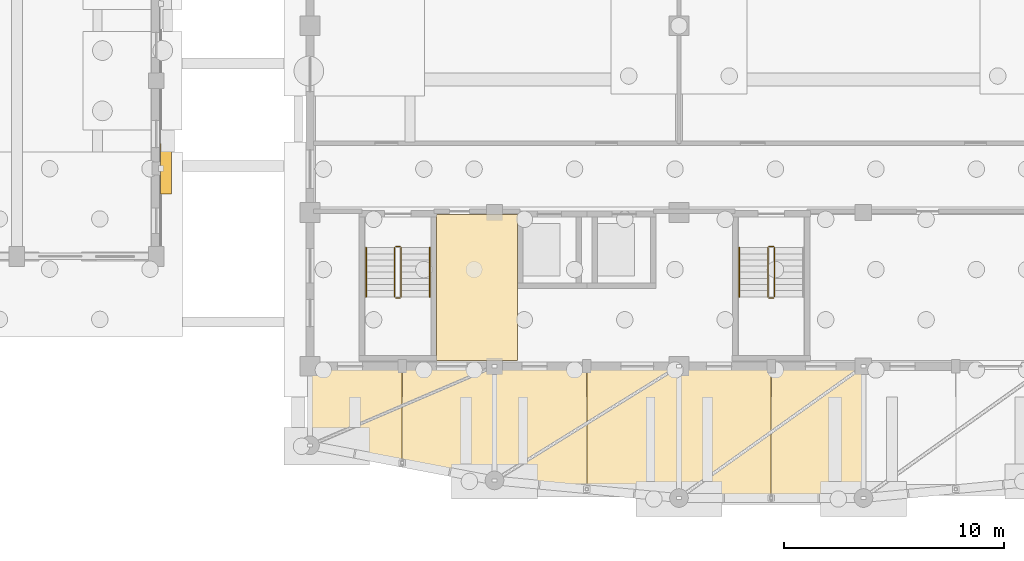
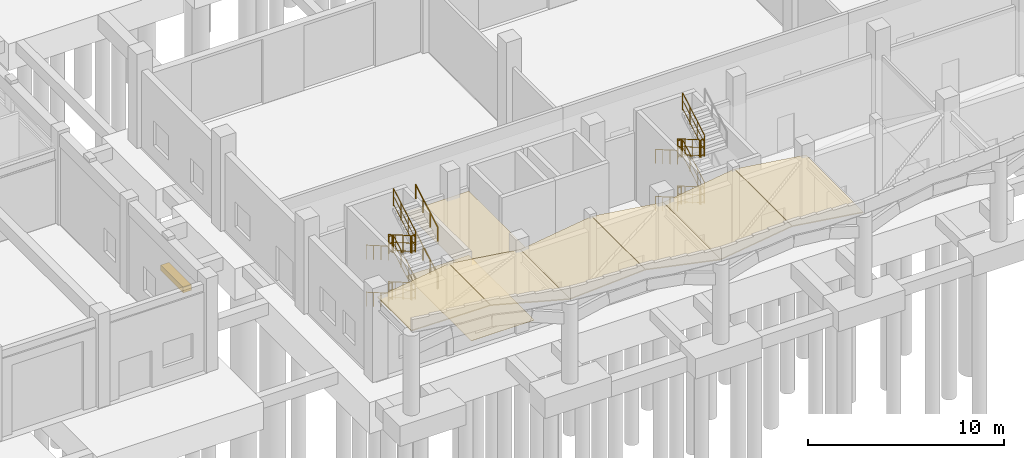
# One storey, part 53 of 60: 22 railings, 8 coverings, 1 shading device.
"""IFC4 building model written with IfcOpenShell, lengths in metres."""

from ifc_helpers import new_model, si_unit, direction, frame, origin, origin_2d, place, context, subcontext, project, spatial, polyline, rectangle, circle, outline, extrude, material, layer, layer_set, type_object, element, save


model = new_model("IFC4")

# Units and contexts
model_context = context("Model", 3, precision=1e-05, world=origin(), true_north=direction((0.0, 1.0)))
body_context = subcontext(model_context, "Body", "Model", "MODEL_VIEW")
ifc_project = project(units=[si_unit("LENGTHUNIT", "METRE"), si_unit("AREAUNIT", "SQUARE_METRE"), si_unit("VOLUMEUNIT", "CUBIC_METRE"), si_unit("PLANEANGLEUNIT", "RADIAN"), si_unit("MASSUNIT", "GRAM", prefix="KILO")], contexts=[model_context])

# Site, building, storey
site_placement = place(None, origin())
site = spatial("IfcSite", under=ifc_project, at=site_placement, CompositionType="ELEMENT")
building_placement = place(site_placement, origin())
building = spatial("IfcBuilding", under=site, at=building_placement, Name="Trellovar Central Fire Station", CompositionType="ELEMENT")
storey_placement = place(building_placement, origin())
storey = spatial("IfcBuildingStorey", under=building, at=storey_placement, Name="L01", CompositionType="ELEMENT", Elevation=0.0)

# Coverings
ifc_material_1 = material(Name="Perforated acoustic mineral fiber ceiling tile", Category="mineral")
ifc_layer_1 = layer(ifc_material_1, 0.02490234375)
ifc_layer_set_1 = layer_set([ifc_layer_1], Name="Perforated acoustic mineral fiber ceiling tile")
covering_type_1 = type_object("IfcCoveringType", Name="COV-CLG1", PredefinedType="CEILING", material=ifc_layer_set_1)
covering_1_placement = place(storey_placement, frame((0.0, 0.0, 3.97998046875)))
element("IfcCovering", 1, at=covering_1_placement, inside=storey, type_object=covering_type_1, Name="Civic Entrance Lobby and Heritage Hall suspended ceiling", PredefinedType="CEILING", context=body_context, shape_type="SweptSolid", body=[
    extrude(outline(polyline([(114.949951171875, 9.25), (111.25, 9.25), (111.25, 15.89990234375), (114.949951171875, 15.89990234375), (114.949951171875, 9.25)])), origin(), (0.0, 0.0, 1.0), 0.02490234375),
])
ifc_material_2 = material(Name="Vitrified Catalan ceramic floor tile", Category="masonry")
ifc_layer_2 = layer(ifc_material_2, 0.01806640625)
ifc_layer_set_2 = layer_set([ifc_layer_2], Name="Vitrified Catalan ceramic floor tile")
covering_type_2 = type_object("IfcCoveringType", Name="COV-FLR2", PredefinedType="FLOORING", material=ifc_layer_set_2)
covering_2_placement = place(storey_placement, origin())
element("IfcCovering", 2, at=covering_2_placement, inside=storey, type_object=covering_type_2, Name="Civic Entrance Lobby and Heritage Hall floor finish", PredefinedType="FLOORING", context=body_context, shape_type="SweptSolid", body=[
    extrude(outline(polyline([(114.949951171875, 9.25), (111.25, 9.25), (111.25, 15.89990234375), (114.949951171875, 15.89990234375), (114.949951171875, 9.25)])), origin(), (0.0, 0.0, 1.0), 0.01806640625),
])
ifc_material_3 = material(Name="Glazed ceramic trencadis roofing", Category="masonry")
ifc_layer_3 = layer(ifc_material_3, 0.06005859375)
ifc_layer_set_3 = layer_set([ifc_layer_3], Name="Glazed ceramic trencadis roofing")
covering_type_3 = type_object("IfcCoveringType", Name="COV-RF1", PredefinedType="ROOFING", material=ifc_layer_set_3)
covering_3_placement = place(storey_placement, frame((105.501953125, 5.39990234375, 5.01025390625), z_axis=(-0.141405195625, 0.0, 0.989951802186), x_axis=(0.972716766482, -0.185787087628, 0.138943334765)))
element("IfcCovering", 3, at=covering_3_placement, inside=storey, type_object=covering_type_3, Name="Concave boulevard trencadis canopy 01-W", PredefinedType="ROOFING", context=body_context, shape_type="SweptSolid", body=[
    extrude(outline(polyline([(0.0, 0.0), (4.304953039048307, 8.326672684688674e-17), (3.515357916629399, 4.17600760806925), (-0.641001738857078, 3.390127499841145), (0.0, 0.0)])), origin(), (0.0, 0.0, -1.0), 0.06005859375),
])
covering_4_placement = place(storey_placement, frame((109.71044921875, 4.60009765625, 5.6083984375), z_axis=(0.141405195625, 0.0, 0.989951802186), x_axis=(0.972706516267, -0.185841840824, -0.138941870619)))
element("IfcCovering", 4, at=covering_4_placement, inside=storey, type_object=covering_type_3, Name="Concave boulevard trencadis canopy 01-E", PredefinedType="ROOFING", context=body_context, shape_type="SweptSolid", body=[
    extrude(outline(polyline([(0.0, 0.0), (4.304998403907772, 1.0061396160665481e-16), (3.366488033439818, 4.962075316938548), (-0.7898278235004182, 4.175963602478426), (0.0, 0.0)])), origin(), (0.0, 0.0, -1.0), 0.06005859375),
])
covering_5_placement = place(storey_placement, frame((113.902099609375, 3.800048828125, 5.01025390625), z_axis=(-0.141405195625, 0.0, 0.989951802186), x_axis=(0.985551954326, -0.094176752165, 0.140776719222)))
element("IfcCovering", 5, at=covering_5_placement, inside=storey, type_object=covering_type_3, Name="Concave boulevard trencadis canopy 02-W", PredefinedType="ROOFING", context=body_context, shape_type="SweptSolid", body=[
    extrude(outline(polyline([(0.0, 0.0), (4.2488881297607675, -2.6020852139652106e-17), (3.735606436562417, 5.4259718804859665), (-0.475597196909509, 5.027603850020257), (0.0, 0.0)])), origin(), (0.0, 0.0, -1.0), 0.06005859375),
])
covering_6_placement = place(storey_placement, frame((118.110595703125, 3.39990234375, 5.6083984375), z_axis=(0.141405195625, 0.0, 0.989951802186), x_axis=(0.985557285944, -0.094119801445, -0.140777480793)))
element("IfcCovering", 6, at=covering_6_placement, inside=storey, type_object=covering_type_3, Name="Concave boulevard trencadis canopy 02-E", PredefinedType="ROOFING", context=body_context, shape_type="SweptSolid", body=[
    extrude(outline(polyline([(0.0, 0.0), (4.2488651443416074, 1.0061396160665481e-16), (3.6982551145042697, 5.824128362485178), (-0.5129713006463873, 5.4260012337917995), (0.0, 0.0)])), origin(), (0.0, 0.0, -1.0), 0.06005859375),
])
for number, where, z_axis, x_axis, name in (
    (7, (122.302001953125, 3.0, 5.01025390625), (-0.141405195625, 0.0, 0.989951802186), (0.989951802186, 0.0, 0.141405195625), "Concave boulevard trencadis canopy 03-W"),
    (8, (126.510498046875, 3.0, 5.6083984375), (0.141405195625, 0.0, 0.989951802186), (0.989951802186, 0.0, -0.141405195625), "Concave boulevard trencadis canopy 03-E"),
):
    element("IfcCovering", number, at=place(storey_placement, frame(where, z_axis=z_axis, x_axis=x_axis)), inside=storey, type_object=covering_type_3, Name=name, PredefinedType="ROOFING", context=body_context, shape_type="SweptSolid", body=[
        extrude(outline(polyline([(0.0, 0.0), (4.230003916105076, 0.0), (4.230003916105076, 5.850097656250001), (0.0, 5.850097656250001), (0.0, 0.0)])), origin(), (0.0, 0.0, -1.0), 0.06005859375),
    ])

# Railings
ifc_material_4 = material(Name="Patina bronze wrought metalwork", Category="metal")
ifc_layer_4 = layer(ifc_material_4, 0.048095703125)
ifc_layer_set_4 = layer_set([ifc_layer_4], Name="Patina bronze wrought metalwork")
railing_type_1 = type_object("IfcRailingType", Name="RL-STAIR", PredefinedType="HANDRAIL", material=ifc_layer_set_4)
railing_1_placement = place(storey_placement, frame((108.050048828125, 14.39990234375, 0.16259765625)))
element("IfcRailing", 9, at=railing_1_placement, inside=storey, type_object=railing_type_1, Name="L01 ST-01 stair handrail 1", PredefinedType="HANDRAIL", context=body_context, shape_type="SweptSolid", body=[
    extrude(circle(Radius=0.02392578125, at=origin_2d()), frame((0.0, 0.0, 0.8759765625), z_axis=(0.0, -0.864928887719, 0.501894430323), x_axis=(1.0, 0.0, 0.0)), (0.0, 0.0, 1.0), 2.58984375),
    extrude(circle(Radius=0.02099609375, at=origin_2d()), origin(), (0.0, 0.0, 1.0), 0.851806640625),
    extrude(circle(Radius=0.02099609375, at=origin_2d()), frame((0.0, -0.74658203125, 0.433349609375)), (0.0, 0.0, 1.0), 0.851806640625),
    extrude(circle(Radius=0.02099609375, at=origin_2d()), frame((0.0, -1.493408203125, 0.866455078125)), (0.0, 0.0, 1.0), 0.851806640625),
    extrude(circle(Radius=0.02099609375, at=origin_2d()), frame((0.0, -2.239990234375, 1.2998046875)), (0.0, 0.0, 1.0), 0.851806640625),
])
railing_2_placement = place(storey_placement, frame((110.949951171875, 12.159912109375, 1.625)))
element("IfcRailing", 10, at=railing_2_placement, inside=storey, type_object=railing_type_1, Name="L01 ST-01 stair handrail 2", PredefinedType="HANDRAIL", context=body_context, shape_type="SweptSolid", body=[
    extrude(circle(Radius=0.02392578125, at=origin_2d()), frame((0.0, 0.0, 0.8759765625), z_axis=(0.0, 0.864887963814, 0.501964949025), x_axis=(-1.0, 0.0, 0.0)), (0.0, 0.0, 1.0), 2.58984375),
    extrude(circle(Radius=0.02099609375, at=origin_2d()), origin(), (0.0, 0.0, 1.0), 0.851806640625),
    extrude(circle(Radius=0.02099609375, at=origin_2d()), frame((0.0, 0.74658203125, 0.433349609375)), (0.0, 0.0, 1.0), 0.851806640625),
    extrude(circle(Radius=0.02099609375, at=origin_2d()), frame((0.0, 1.493408203125, 0.86669921875)), (0.0, 0.0, 1.0), 0.851806640625),
    extrude(circle(Radius=0.02099609375, at=origin_2d()), frame((0.0, 2.239990234375, 1.300048828125)), (0.0, 0.0, 1.0), 0.851806640625),
])
railing_3_placement = place(storey_placement, frame((108.050048828125, 14.39990234375, 3.08740234375)))
element("IfcRailing", 11, at=railing_3_placement, inside=storey, type_object=railing_type_1, Name="L01 ST-01 stair handrail 3", PredefinedType="HANDRAIL", context=body_context, shape_type="SweptSolid", body=[
    extrude(circle(Radius=0.02392578125, at=origin_2d()), frame((0.0, 0.0, 0.8759765625), z_axis=(0.0, -0.864887963814, 0.501964949025), x_axis=(1.0, 0.0, 0.0)), (0.0, 0.0, 1.0), 2.58984375),
    extrude(circle(Radius=0.02099609375, at=origin_2d()), origin(), (0.0, 0.0, 1.0), 0.851806640625),
    extrude(circle(Radius=0.02099609375, at=origin_2d()), frame((0.0, -0.74658203125, 0.433349609375)), (0.0, 0.0, 1.0), 0.851806640625),
    extrude(circle(Radius=0.02099609375, at=origin_2d()), frame((0.0, -1.493408203125, 0.86669921875)), (0.0, 0.0, 1.0), 0.851806640625),
    extrude(circle(Radius=0.02099609375, at=origin_2d()), frame((0.0, -2.239990234375, 1.300048828125)), (0.0, 0.0, 1.0), 0.851806640625),
])
railing_4_placement = place(storey_placement, frame((110.949951171875, 12.159912109375, 4.550048828125)))
element("IfcRailing", 12, at=railing_4_placement, inside=storey, type_object=railing_type_1, Name="L01 ST-01 stair handrail 4", PredefinedType="HANDRAIL", context=body_context, shape_type="SweptSolid", body=[
    extrude(circle(Radius=0.02392578125, at=origin_2d()), frame((0.0, 0.0, 0.8759765625), z_axis=(0.0, 0.864887963814, 0.501964949025), x_axis=(-1.0, 0.0, 0.0)), (0.0, 0.0, 1.0), 2.58984375),
    extrude(circle(Radius=0.02099609375, at=origin_2d()), origin(), (0.0, 0.0, 1.0), 0.851806640625),
    extrude(circle(Radius=0.02099609375, at=origin_2d()), frame((0.0, 0.74658203125, 0.433349609375)), (0.0, 0.0, 1.0), 0.851806640625),
    extrude(circle(Radius=0.02099609375, at=origin_2d()), frame((0.0, 1.493408203125, 0.86669921875)), (0.0, 0.0, 1.0), 0.851806640625),
    extrude(circle(Radius=0.02099609375, at=origin_2d()), frame((0.0, 2.239990234375, 1.300048828125)), (0.0, 0.0, 1.0), 0.851806640625),
])
railing_5_placement = place(storey_placement, frame((125.050048828125, 14.39990234375, 0.16259765625)))
element("IfcRailing", 13, at=railing_5_placement, inside=storey, type_object=railing_type_1, Name="L01 ST-02 stair handrail 1", PredefinedType="HANDRAIL", context=body_context, shape_type="SweptSolid", body=[
    extrude(circle(Radius=0.02392578125, at=origin_2d()), frame((0.0, 0.0, 0.8759765625), z_axis=(0.0, -0.864928887719, 0.501894430323), x_axis=(1.0, 0.0, 0.0)), (0.0, 0.0, 1.0), 2.58984375),
    extrude(circle(Radius=0.02099609375, at=origin_2d()), origin(), (0.0, 0.0, 1.0), 0.851806640625),
    extrude(circle(Radius=0.02099609375, at=origin_2d()), frame((0.0, -0.74658203125, 0.433349609375)), (0.0, 0.0, 1.0), 0.851806640625),
    extrude(circle(Radius=0.02099609375, at=origin_2d()), frame((0.0, -1.493408203125, 0.866455078125)), (0.0, 0.0, 1.0), 0.851806640625),
    extrude(circle(Radius=0.02099609375, at=origin_2d()), frame((0.0, -2.239990234375, 1.2998046875)), (0.0, 0.0, 1.0), 0.851806640625),
])
railing_6_placement = place(storey_placement, frame((125.050048828125, 14.39990234375, 3.08740234375)))
element("IfcRailing", 14, at=railing_6_placement, inside=storey, type_object=railing_type_1, Name="L01 ST-02 stair handrail 3", PredefinedType="HANDRAIL", context=body_context, shape_type="SweptSolid", body=[
    extrude(circle(Radius=0.02392578125, at=origin_2d()), frame((0.0, 0.0, 0.8759765625), z_axis=(0.0, -0.864887963814, 0.501964949025), x_axis=(1.0, 0.0, 0.0)), (0.0, 0.0, 1.0), 2.58984375),
    extrude(circle(Radius=0.02099609375, at=origin_2d()), origin(), (0.0, 0.0, 1.0), 0.851806640625),
    extrude(circle(Radius=0.02099609375, at=origin_2d()), frame((0.0, -0.74658203125, 0.433349609375)), (0.0, 0.0, 1.0), 0.851806640625),
    extrude(circle(Radius=0.02099609375, at=origin_2d()), frame((0.0, -1.493408203125, 0.86669921875)), (0.0, 0.0, 1.0), 0.851806640625),
    extrude(circle(Radius=0.02099609375, at=origin_2d()), frame((0.0, -2.239990234375, 1.300048828125)), (0.0, 0.0, 1.0), 0.851806640625),
])
ifc_material_5 = material(Name="Patina bronze wrought metalwork", Category="metal")
ifc_layer_5 = layer(ifc_material_5, 0.050048828125)
ifc_layer_set_5 = layer_set([ifc_layer_5], Name="Patina bronze wrought metalwork")
railing_type_2 = type_object("IfcRailingType", Name="RL-STGUARD", PredefinedType="GUARDRAIL", material=ifc_layer_set_5)
railing_7_placement = place(storey_placement, frame((109.35009765625, 14.39990234375, 0.16259765625)))
element("IfcRailing", 15, at=railing_7_placement, inside=storey, type_object=railing_type_2, Name="L01 ST-01 stair guard 1", PredefinedType="GUARDRAIL", context=body_context, shape_type="SweptSolid", body=[
    extrude(circle(Radius=0.02392578125, at=origin_2d()), frame((0.0, 0.0, 1.076171875), z_axis=(0.0, -0.864928887719, 0.501894430323), x_axis=(1.0, 0.0, 0.0)), (0.0, 0.0, 1.0), 2.58984375),
    extrude(circle(Radius=0.015625, at=origin_2d()), frame((0.0, 0.0, 0.10009765625), z_axis=(0.0, -0.864928887719, 0.501894430323), x_axis=(1.0, 0.0, 0.0)), (0.0, 0.0, 1.0), 2.58984375),
    extrude(circle(Radius=0.015625, at=origin_2d()), frame((0.0, 0.0, 0.60498046875), z_axis=(0.0, -0.864928887719, 0.501894430323), x_axis=(1.0, 0.0, 0.0)), (0.0, 0.0, 1.0), 2.58984375),
    extrude(circle(Radius=0.02099609375, at=origin_2d()), origin(), (0.0, 0.0, 1.0), 1.052001953125),
    extrude(circle(Radius=0.02099609375, at=origin_2d()), frame((0.0, -0.74658203125, 0.433349609375)), (0.0, 0.0, 1.0), 1.052001953125),
    extrude(circle(Radius=0.02099609375, at=origin_2d()), frame((0.0, -1.493408203125, 0.866455078125)), (0.0, 0.0, 1.0), 1.052001953125),
    extrude(circle(Radius=0.02099609375, at=origin_2d()), frame((0.0, -2.239990234375, 1.2998046875)), (0.0, 0.0, 1.0), 1.052001953125),
])
railing_8_placement = place(storey_placement, frame((109.39990234375, 12.110107421875, 1.46240234375)))
element("IfcRailing", 16, at=railing_8_placement, inside=storey, type_object=railing_type_2, Name="L01 ST-01 stair guard 2", PredefinedType="GUARDRAIL", context=body_context, shape_type="SweptSolid", body=[
    extrude(circle(Radius=0.02392578125, at=origin_2d()), frame((0.0, 0.0, 1.076171875), z_axis=(1.0, 0.0, 0.0), x_axis=(0.0, 1.0, 0.0)), (0.0, 0.0, 1.0), 0.2001953125),
    extrude(circle(Radius=0.015625, at=origin_2d()), frame((0.0, 0.0, 0.10009765625), z_axis=(1.0, 0.0, 0.0), x_axis=(0.0, 1.0, 0.0)), (0.0, 0.0, 1.0), 0.2001953125),
    extrude(circle(Radius=0.015625, at=origin_2d()), frame((0.0, 0.0, 0.60498046875), z_axis=(1.0, 0.0, 0.0), x_axis=(0.0, 1.0, 0.0)), (0.0, 0.0, 1.0), 0.2001953125),
    extrude(circle(Radius=0.02099609375, at=origin_2d()), origin(), (0.0, 0.0, 1.0), 1.052001953125),
    extrude(circle(Radius=0.02099609375, at=origin_2d()), frame((0.2001953125, 0.0, 0.0)), (0.0, 0.0, 1.0), 1.052001953125),
])
railing_9_placement = place(storey_placement, frame((109.64990234375, 12.159912109375, 1.625)))
element("IfcRailing", 17, at=railing_9_placement, inside=storey, type_object=railing_type_2, Name="L01 ST-01 stair guard 3", PredefinedType="GUARDRAIL", context=body_context, shape_type="SweptSolid", body=[
    extrude(circle(Radius=0.02392578125, at=origin_2d()), frame((0.0, 0.0, 1.076171875), z_axis=(0.0, 0.864887963814, 0.501964949025), x_axis=(-1.0, 0.0, 0.0)), (0.0, 0.0, 1.0), 2.58984375),
    extrude(circle(Radius=0.015625, at=origin_2d()), frame((0.0, 0.0, 0.10009765625), z_axis=(0.0, 0.864887963814, 0.501964949025), x_axis=(-1.0, 0.0, 0.0)), (0.0, 0.0, 1.0), 2.58984375),
    extrude(circle(Radius=0.015625, at=origin_2d()), frame((0.0, 0.0, 0.60498046875), z_axis=(0.0, 0.864887963814, 0.501964949025), x_axis=(-1.0, 0.0, 0.0)), (0.0, 0.0, 1.0), 2.58984375),
    extrude(circle(Radius=0.02099609375, at=origin_2d()), origin(), (0.0, 0.0, 1.0), 1.052001953125),
    extrude(circle(Radius=0.02099609375, at=origin_2d()), frame((0.0, 0.74658203125, 0.433349609375)), (0.0, 0.0, 1.0), 1.052001953125),
    extrude(circle(Radius=0.02099609375, at=origin_2d()), frame((0.0, 1.493408203125, 0.86669921875)), (0.0, 0.0, 1.0), 1.052001953125),
    extrude(circle(Radius=0.02099609375, at=origin_2d()), frame((0.0, 2.239990234375, 1.300048828125)), (0.0, 0.0, 1.0), 1.052001953125),
])
railing_10_placement = place(storey_placement, frame((109.39990234375, 14.449951171875, 2.925048828125)))
element("IfcRailing", 18, at=railing_10_placement, inside=storey, type_object=railing_type_2, Name="L01 ST-01 stair guard 4", PredefinedType="GUARDRAIL", context=body_context, shape_type="SweptSolid", body=[
    extrude(circle(Radius=0.02392578125, at=origin_2d()), frame((0.0, 0.0, 1.076171875), z_axis=(1.0, 0.0, 0.0), x_axis=(0.0, 1.0, 0.0)), (0.0, 0.0, 1.0), 0.2001953125),
    extrude(circle(Radius=0.015625, at=origin_2d()), frame((0.0, 0.0, 0.10009765625), z_axis=(1.0, 0.0, 0.0), x_axis=(0.0, 1.0, 0.0)), (0.0, 0.0, 1.0), 0.2001953125),
    extrude(circle(Radius=0.015625, at=origin_2d()), frame((0.0, 0.0, 0.60498046875), z_axis=(1.0, 0.0, 0.0), x_axis=(0.0, 1.0, 0.0)), (0.0, 0.0, 1.0), 0.2001953125),
    extrude(circle(Radius=0.02099609375, at=origin_2d()), origin(), (0.0, 0.0, 1.0), 1.052001953125),
    extrude(circle(Radius=0.02099609375, at=origin_2d()), frame((0.2001953125, 0.0, 0.0)), (0.0, 0.0, 1.0), 1.052001953125),
])
railing_11_placement = place(storey_placement, frame((109.35009765625, 14.39990234375, 3.08740234375)))
element("IfcRailing", 19, at=railing_11_placement, inside=storey, type_object=railing_type_2, Name="L01 ST-01 stair guard 5", PredefinedType="GUARDRAIL", context=body_context, shape_type="SweptSolid", body=[
    extrude(circle(Radius=0.02392578125, at=origin_2d()), frame((0.0, 0.0, 1.076171875), z_axis=(0.0, -0.864887963814, 0.501964949025), x_axis=(1.0, 0.0, 0.0)), (0.0, 0.0, 1.0), 2.58984375),
    extrude(circle(Radius=0.015625, at=origin_2d()), frame((0.0, 0.0, 0.10009765625), z_axis=(0.0, -0.864887963814, 0.501964949025), x_axis=(1.0, 0.0, 0.0)), (0.0, 0.0, 1.0), 2.58984375),
    extrude(circle(Radius=0.015625, at=origin_2d()), frame((0.0, 0.0, 0.60498046875), z_axis=(0.0, -0.864887963814, 0.501964949025), x_axis=(1.0, 0.0, 0.0)), (0.0, 0.0, 1.0), 2.58984375),
    extrude(circle(Radius=0.02099609375, at=origin_2d()), origin(), (0.0, 0.0, 1.0), 1.052001953125),
    extrude(circle(Radius=0.02099609375, at=origin_2d()), frame((0.0, -0.74658203125, 0.433349609375)), (0.0, 0.0, 1.0), 1.052001953125),
    extrude(circle(Radius=0.02099609375, at=origin_2d()), frame((0.0, -1.493408203125, 0.86669921875)), (0.0, 0.0, 1.0), 1.052001953125),
    extrude(circle(Radius=0.02099609375, at=origin_2d()), frame((0.0, -2.239990234375, 1.300048828125)), (0.0, 0.0, 1.0), 1.052001953125),
])
railing_12_placement = place(storey_placement, frame((109.39990234375, 12.110107421875, 4.387451171875)))
element("IfcRailing", 20, at=railing_12_placement, inside=storey, type_object=railing_type_2, Name="L01 ST-01 stair guard 6", PredefinedType="GUARDRAIL", context=body_context, shape_type="SweptSolid", body=[
    extrude(circle(Radius=0.02392578125, at=origin_2d()), frame((0.0, 0.0, 1.076171875), z_axis=(1.0, 0.0, 0.0), x_axis=(0.0, 1.0, 0.0)), (0.0, 0.0, 1.0), 0.2001953125),
    extrude(circle(Radius=0.015625, at=origin_2d()), frame((0.0, 0.0, 0.10009765625), z_axis=(1.0, 0.0, 0.0), x_axis=(0.0, 1.0, 0.0)), (0.0, 0.0, 1.0), 0.2001953125),
    extrude(circle(Radius=0.015625, at=origin_2d()), frame((0.0, 0.0, 0.60498046875), z_axis=(1.0, 0.0, 0.0), x_axis=(0.0, 1.0, 0.0)), (0.0, 0.0, 1.0), 0.2001953125),
    extrude(circle(Radius=0.02099609375, at=origin_2d()), origin(), (0.0, 0.0, 1.0), 1.052001953125),
    extrude(circle(Radius=0.02099609375, at=origin_2d()), frame((0.2001953125, 0.0, 0.0)), (0.0, 0.0, 1.0), 1.052001953125),
])
railing_13_placement = place(storey_placement, frame((109.64990234375, 12.159912109375, 4.550048828125)))
element("IfcRailing", 21, at=railing_13_placement, inside=storey, type_object=railing_type_2, Name="L01 ST-01 stair guard 7", PredefinedType="GUARDRAIL", context=body_context, shape_type="SweptSolid", body=[
    extrude(circle(Radius=0.02392578125, at=origin_2d()), frame((0.0, 0.0, 1.076171875), z_axis=(0.0, 0.864887963814, 0.501964949025), x_axis=(-1.0, 0.0, 0.0)), (0.0, 0.0, 1.0), 2.58984375),
    extrude(circle(Radius=0.015625, at=origin_2d()), frame((0.0, 0.0, 0.10009765625), z_axis=(0.0, 0.864887963814, 0.501964949025), x_axis=(-1.0, 0.0, 0.0)), (0.0, 0.0, 1.0), 2.58984375),
    extrude(circle(Radius=0.015625, at=origin_2d()), frame((0.0, 0.0, 0.60498046875), z_axis=(0.0, 0.864887963814, 0.501964949025), x_axis=(-1.0, 0.0, 0.0)), (0.0, 0.0, 1.0), 2.58984375),
    extrude(circle(Radius=0.02099609375, at=origin_2d()), origin(), (0.0, 0.0, 1.0), 1.052001953125),
    extrude(circle(Radius=0.02099609375, at=origin_2d()), frame((0.0, 0.74658203125, 0.433349609375)), (0.0, 0.0, 1.0), 1.052001953125),
    extrude(circle(Radius=0.02099609375, at=origin_2d()), frame((0.0, 1.493408203125, 0.86669921875)), (0.0, 0.0, 1.0), 1.052001953125),
    extrude(circle(Radius=0.02099609375, at=origin_2d()), frame((0.0, 2.239990234375, 1.300048828125)), (0.0, 0.0, 1.0), 1.052001953125),
])
railing_14_placement = place(storey_placement, frame((109.39990234375, 14.449951171875, 0.0)))
element("IfcRailing", 22, at=railing_14_placement, inside=storey, type_object=railing_type_2, Name="L01 ST-01 stair guard 8", PredefinedType="GUARDRAIL", context=body_context, shape_type="SweptSolid", body=[
    extrude(circle(Radius=0.02392578125, at=origin_2d()), frame((0.0, 0.0, 1.076171875), z_axis=(1.0, 0.0, 0.0), x_axis=(0.0, 1.0, 0.0)), (0.0, 0.0, 1.0), 0.2001953125),
    extrude(circle(Radius=0.015625, at=origin_2d()), frame((0.0, 0.0, 0.10009765625), z_axis=(1.0, 0.0, 0.0), x_axis=(0.0, 1.0, 0.0)), (0.0, 0.0, 1.0), 0.2001953125),
    extrude(circle(Radius=0.015625, at=origin_2d()), frame((0.0, 0.0, 0.60498046875), z_axis=(1.0, 0.0, 0.0), x_axis=(0.0, 1.0, 0.0)), (0.0, 0.0, 1.0), 0.2001953125),
    extrude(circle(Radius=0.02099609375, at=origin_2d()), origin(), (0.0, 0.0, 1.0), 1.052001953125),
    extrude(circle(Radius=0.02099609375, at=origin_2d()), frame((0.2001953125, 0.0, 0.0)), (0.0, 0.0, 1.0), 1.052001953125),
])
railing_15_placement = place(storey_placement, frame((126.35009765625, 14.39990234375, 0.16259765625)))
element("IfcRailing", 23, at=railing_15_placement, inside=storey, type_object=railing_type_2, Name="L01 ST-02 stair guard 1", PredefinedType="GUARDRAIL", context=body_context, shape_type="SweptSolid", body=[
    extrude(circle(Radius=0.02392578125, at=origin_2d()), frame((0.0, 0.0, 1.076171875), z_axis=(0.0, -0.864928887719, 0.501894430323), x_axis=(1.0, 0.0, 0.0)), (0.0, 0.0, 1.0), 2.58984375),
    extrude(circle(Radius=0.015625, at=origin_2d()), frame((0.0, 0.0, 0.10009765625), z_axis=(0.0, -0.864928887719, 0.501894430323), x_axis=(1.0, 0.0, 0.0)), (0.0, 0.0, 1.0), 2.58984375),
    extrude(circle(Radius=0.015625, at=origin_2d()), frame((0.0, 0.0, 0.60498046875), z_axis=(0.0, -0.864928887719, 0.501894430323), x_axis=(1.0, 0.0, 0.0)), (0.0, 0.0, 1.0), 2.58984375),
    extrude(circle(Radius=0.02099609375, at=origin_2d()), origin(), (0.0, 0.0, 1.0), 1.052001953125),
    extrude(circle(Radius=0.02099609375, at=origin_2d()), frame((0.0, -0.74658203125, 0.433349609375)), (0.0, 0.0, 1.0), 1.052001953125),
    extrude(circle(Radius=0.02099609375, at=origin_2d()), frame((0.0, -1.493408203125, 0.866455078125)), (0.0, 0.0, 1.0), 1.052001953125),
    extrude(circle(Radius=0.02099609375, at=origin_2d()), frame((0.0, -2.239990234375, 1.2998046875)), (0.0, 0.0, 1.0), 1.052001953125),
])
railing_16_placement = place(storey_placement, frame((126.39990234375, 12.110107421875, 1.46240234375)))
element("IfcRailing", 24, at=railing_16_placement, inside=storey, type_object=railing_type_2, Name="L01 ST-02 stair guard 2", PredefinedType="GUARDRAIL", context=body_context, shape_type="SweptSolid", body=[
    extrude(circle(Radius=0.02392578125, at=origin_2d()), frame((0.0, 0.0, 1.076171875), z_axis=(1.0, 0.0, 0.0), x_axis=(0.0, 1.0, 0.0)), (0.0, 0.0, 1.0), 0.2001953125),
    extrude(circle(Radius=0.015625, at=origin_2d()), frame((0.0, 0.0, 0.10009765625), z_axis=(1.0, 0.0, 0.0), x_axis=(0.0, 1.0, 0.0)), (0.0, 0.0, 1.0), 0.2001953125),
    extrude(circle(Radius=0.015625, at=origin_2d()), frame((0.0, 0.0, 0.60498046875), z_axis=(1.0, 0.0, 0.0), x_axis=(0.0, 1.0, 0.0)), (0.0, 0.0, 1.0), 0.2001953125),
    extrude(circle(Radius=0.02099609375, at=origin_2d()), origin(), (0.0, 0.0, 1.0), 1.052001953125),
    extrude(circle(Radius=0.02099609375, at=origin_2d()), frame((0.2001953125, 0.0, 0.0)), (0.0, 0.0, 1.0), 1.052001953125),
])
railing_17_placement = place(storey_placement, frame((126.64990234375, 12.159912109375, 1.625)))
element("IfcRailing", 25, at=railing_17_placement, inside=storey, type_object=railing_type_2, Name="L01 ST-02 stair guard 3", PredefinedType="GUARDRAIL", context=body_context, shape_type="SweptSolid", body=[
    extrude(circle(Radius=0.02392578125, at=origin_2d()), frame((0.0, 0.0, 1.076171875), z_axis=(0.0, 0.864887963814, 0.501964949025), x_axis=(-1.0, 0.0, 0.0)), (0.0, 0.0, 1.0), 2.58984375),
    extrude(circle(Radius=0.015625, at=origin_2d()), frame((0.0, 0.0, 0.10009765625), z_axis=(0.0, 0.864887963814, 0.501964949025), x_axis=(-1.0, 0.0, 0.0)), (0.0, 0.0, 1.0), 2.58984375),
    extrude(circle(Radius=0.015625, at=origin_2d()), frame((0.0, 0.0, 0.60498046875), z_axis=(0.0, 0.864887963814, 0.501964949025), x_axis=(-1.0, 0.0, 0.0)), (0.0, 0.0, 1.0), 2.58984375),
    extrude(circle(Radius=0.02099609375, at=origin_2d()), origin(), (0.0, 0.0, 1.0), 1.052001953125),
    extrude(circle(Radius=0.02099609375, at=origin_2d()), frame((0.0, 0.74658203125, 0.433349609375)), (0.0, 0.0, 1.0), 1.052001953125),
    extrude(circle(Radius=0.02099609375, at=origin_2d()), frame((0.0, 1.493408203125, 0.86669921875)), (0.0, 0.0, 1.0), 1.052001953125),
    extrude(circle(Radius=0.02099609375, at=origin_2d()), frame((0.0, 2.239990234375, 1.300048828125)), (0.0, 0.0, 1.0), 1.052001953125),
])
railing_18_placement = place(storey_placement, frame((126.39990234375, 14.449951171875, 2.925048828125)))
element("IfcRailing", 26, at=railing_18_placement, inside=storey, type_object=railing_type_2, Name="L01 ST-02 stair guard 4", PredefinedType="GUARDRAIL", context=body_context, shape_type="SweptSolid", body=[
    extrude(circle(Radius=0.02392578125, at=origin_2d()), frame((0.0, 0.0, 1.076171875), z_axis=(1.0, 0.0, 0.0), x_axis=(0.0, 1.0, 0.0)), (0.0, 0.0, 1.0), 0.2001953125),
    extrude(circle(Radius=0.015625, at=origin_2d()), frame((0.0, 0.0, 0.10009765625), z_axis=(1.0, 0.0, 0.0), x_axis=(0.0, 1.0, 0.0)), (0.0, 0.0, 1.0), 0.2001953125),
    extrude(circle(Radius=0.015625, at=origin_2d()), frame((0.0, 0.0, 0.60498046875), z_axis=(1.0, 0.0, 0.0), x_axis=(0.0, 1.0, 0.0)), (0.0, 0.0, 1.0), 0.2001953125),
    extrude(circle(Radius=0.02099609375, at=origin_2d()), origin(), (0.0, 0.0, 1.0), 1.052001953125),
    extrude(circle(Radius=0.02099609375, at=origin_2d()), frame((0.2001953125, 0.0, 0.0)), (0.0, 0.0, 1.0), 1.052001953125),
])
railing_19_placement = place(storey_placement, frame((126.35009765625, 14.39990234375, 3.08740234375)))
element("IfcRailing", 27, at=railing_19_placement, inside=storey, type_object=railing_type_2, Name="L01 ST-02 stair guard 5", PredefinedType="GUARDRAIL", context=body_context, shape_type="SweptSolid", body=[
    extrude(circle(Radius=0.02392578125, at=origin_2d()), frame((0.0, 0.0, 1.076171875), z_axis=(0.0, -0.864887963814, 0.501964949025), x_axis=(1.0, 0.0, 0.0)), (0.0, 0.0, 1.0), 2.58984375),
    extrude(circle(Radius=0.015625, at=origin_2d()), frame((0.0, 0.0, 0.10009765625), z_axis=(0.0, -0.864887963814, 0.501964949025), x_axis=(1.0, 0.0, 0.0)), (0.0, 0.0, 1.0), 2.58984375),
    extrude(circle(Radius=0.015625, at=origin_2d()), frame((0.0, 0.0, 0.60498046875), z_axis=(0.0, -0.864887963814, 0.501964949025), x_axis=(1.0, 0.0, 0.0)), (0.0, 0.0, 1.0), 2.58984375),
    extrude(circle(Radius=0.02099609375, at=origin_2d()), origin(), (0.0, 0.0, 1.0), 1.052001953125),
    extrude(circle(Radius=0.02099609375, at=origin_2d()), frame((0.0, -0.74658203125, 0.433349609375)), (0.0, 0.0, 1.0), 1.052001953125),
    extrude(circle(Radius=0.02099609375, at=origin_2d()), frame((0.0, -1.493408203125, 0.86669921875)), (0.0, 0.0, 1.0), 1.052001953125),
    extrude(circle(Radius=0.02099609375, at=origin_2d()), frame((0.0, -2.239990234375, 1.300048828125)), (0.0, 0.0, 1.0), 1.052001953125),
])
railing_20_placement = place(storey_placement, frame((126.39990234375, 12.110107421875, 4.387451171875)))
element("IfcRailing", 28, at=railing_20_placement, inside=storey, type_object=railing_type_2, Name="L01 ST-02 stair guard 6", PredefinedType="GUARDRAIL", context=body_context, shape_type="SweptSolid", body=[
    extrude(circle(Radius=0.02392578125, at=origin_2d()), frame((0.0, 0.0, 1.076171875), z_axis=(1.0, 0.0, 0.0), x_axis=(0.0, 1.0, 0.0)), (0.0, 0.0, 1.0), 0.2001953125),
    extrude(circle(Radius=0.015625, at=origin_2d()), frame((0.0, 0.0, 0.10009765625), z_axis=(1.0, 0.0, 0.0), x_axis=(0.0, 1.0, 0.0)), (0.0, 0.0, 1.0), 0.2001953125),
    extrude(circle(Radius=0.015625, at=origin_2d()), frame((0.0, 0.0, 0.60498046875), z_axis=(1.0, 0.0, 0.0), x_axis=(0.0, 1.0, 0.0)), (0.0, 0.0, 1.0), 0.2001953125),
    extrude(circle(Radius=0.02099609375, at=origin_2d()), origin(), (0.0, 0.0, 1.0), 1.052001953125),
    extrude(circle(Radius=0.02099609375, at=origin_2d()), frame((0.2001953125, 0.0, 0.0)), (0.0, 0.0, 1.0), 1.052001953125),
])
railing_21_placement = place(storey_placement, frame((126.64990234375, 12.159912109375, 4.550048828125)))
element("IfcRailing", 29, at=railing_21_placement, inside=storey, type_object=railing_type_2, Name="L01 ST-02 stair guard 7", PredefinedType="GUARDRAIL", context=body_context, shape_type="SweptSolid", body=[
    extrude(circle(Radius=0.02392578125, at=origin_2d()), frame((0.0, 0.0, 1.076171875), z_axis=(0.0, 0.864887963814, 0.501964949025), x_axis=(-1.0, 0.0, 0.0)), (0.0, 0.0, 1.0), 2.58984375),
    extrude(circle(Radius=0.015625, at=origin_2d()), frame((0.0, 0.0, 0.10009765625), z_axis=(0.0, 0.864887963814, 0.501964949025), x_axis=(-1.0, 0.0, 0.0)), (0.0, 0.0, 1.0), 2.58984375),
    extrude(circle(Radius=0.015625, at=origin_2d()), frame((0.0, 0.0, 0.60498046875), z_axis=(0.0, 0.864887963814, 0.501964949025), x_axis=(-1.0, 0.0, 0.0)), (0.0, 0.0, 1.0), 2.58984375),
    extrude(circle(Radius=0.02099609375, at=origin_2d()), origin(), (0.0, 0.0, 1.0), 1.052001953125),
    extrude(circle(Radius=0.02099609375, at=origin_2d()), frame((0.0, 0.74658203125, 0.433349609375)), (0.0, 0.0, 1.0), 1.052001953125),
    extrude(circle(Radius=0.02099609375, at=origin_2d()), frame((0.0, 1.493408203125, 0.86669921875)), (0.0, 0.0, 1.0), 1.052001953125),
    extrude(circle(Radius=0.02099609375, at=origin_2d()), frame((0.0, 2.239990234375, 1.300048828125)), (0.0, 0.0, 1.0), 1.052001953125),
])
railing_22_placement = place(storey_placement, frame((126.39990234375, 14.449951171875, 0.0)))
element("IfcRailing", 30, at=railing_22_placement, inside=storey, type_object=railing_type_2, Name="L01 ST-02 stair guard 8", PredefinedType="GUARDRAIL", context=body_context, shape_type="SweptSolid", body=[
    extrude(circle(Radius=0.02392578125, at=origin_2d()), frame((0.0, 0.0, 1.076171875), z_axis=(1.0, 0.0, 0.0), x_axis=(0.0, 1.0, 0.0)), (0.0, 0.0, 1.0), 0.2001953125),
    extrude(circle(Radius=0.015625, at=origin_2d()), frame((0.0, 0.0, 0.10009765625), z_axis=(1.0, 0.0, 0.0), x_axis=(0.0, 1.0, 0.0)), (0.0, 0.0, 1.0), 0.2001953125),
    extrude(circle(Radius=0.015625, at=origin_2d()), frame((0.0, 0.0, 0.60498046875), z_axis=(1.0, 0.0, 0.0), x_axis=(0.0, 1.0, 0.0)), (0.0, 0.0, 1.0), 0.2001953125),
    extrude(circle(Radius=0.02099609375, at=origin_2d()), origin(), (0.0, 0.0, 1.0), 1.052001953125),
    extrude(circle(Radius=0.02099609375, at=origin_2d()), frame((0.2001953125, 0.0, 0.0)), (0.0, 0.0, 1.0), 1.052001953125),
])

# Shading device
ifc_material_6 = material(Name="Glazed ceramic trencadis and terracotta panel", Category="masonry")
shading_device_type = type_object("IfcShadingDeviceType", Name="SHD-LV1", PredefinedType="JALOUSIE", material=ifc_material_6)
shading_device_placement = place(storey_placement, frame((98.945068359375, 18.0, 2.77978515625), z_axis=(0.0, 0.0, 1.0), x_axis=(0.0, 1.0, 0.0)))
element("IfcShadingDevice", 31, at=shading_device_placement, inside=storey, type_object=shading_device_type, Name="L01 Catalan solar brise-soleil LV-1", PredefinedType="JALOUSIE", context=body_context, shape_type="SweptSolid", body=[
    extrude(rectangle(XDim=2.300048828125, YDim=0.5, at=origin_2d()), origin(), (0.0, 0.0, 1.0), 0.340087890625),
])

save(model, "model.ifc")
